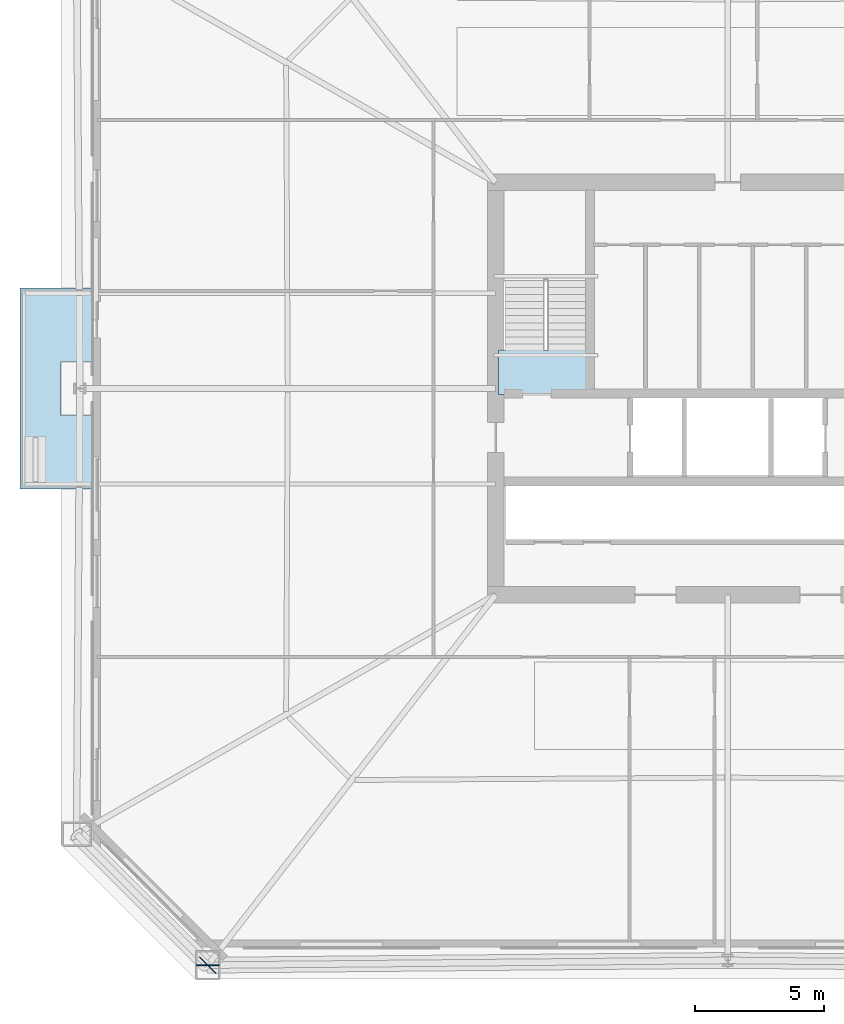
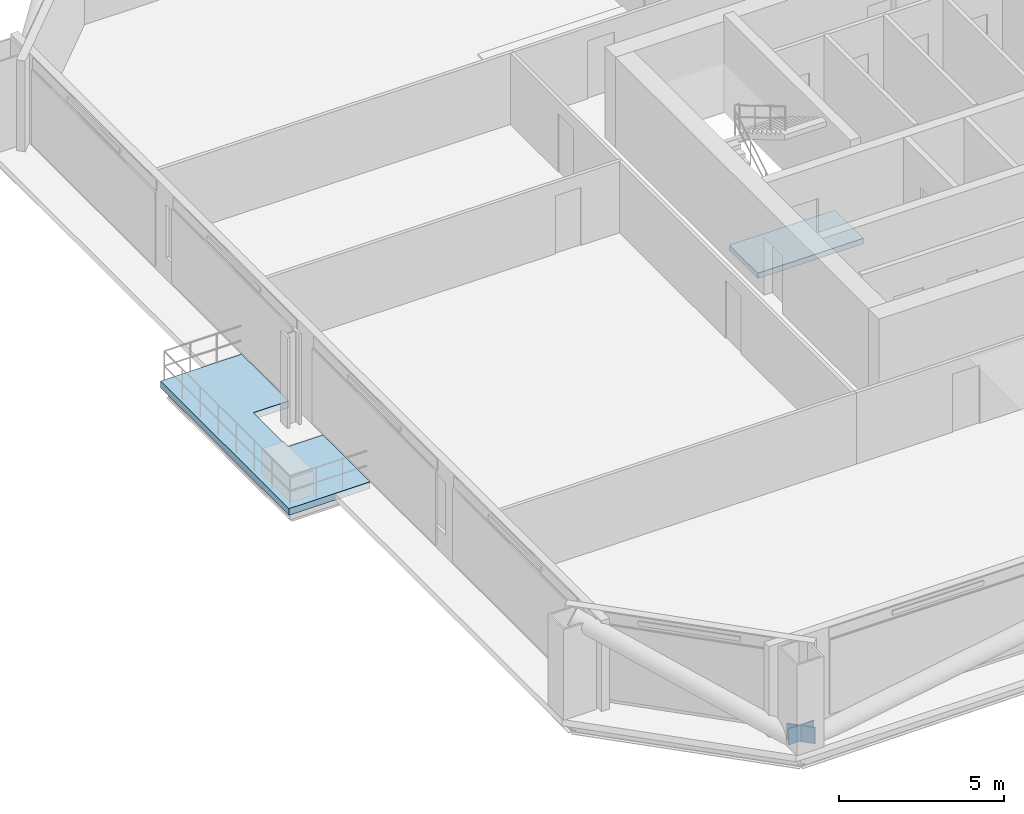
# One storey, part 2 of 10: 2 plates, 2 slabs, 1 element without a shape of its own.
"""IFC4 building model written with IfcOpenShell, lengths in metres."""

from ifc_helpers import new_model, si_unit, direction, frame, origin, origin_2d, place, context, subcontext, project, spatial, polyline, rectangle, outline, extrude, material, layer, layer_set, type_object, element, aggregate, save


model = new_model("IFC4")

# Units and contexts
model_context = context("Model", 3, precision=1e-05, world=origin(), true_north=direction((0.0, 1.0)))
body_context = subcontext(model_context, "Body", "Model", "MODEL_VIEW")
ifc_project = project(units=[si_unit("LENGTHUNIT", "METRE"), si_unit("AREAUNIT", "SQUARE_METRE"), si_unit("VOLUMEUNIT", "CUBIC_METRE"), si_unit("PLANEANGLEUNIT", "RADIAN"), si_unit("MASSUNIT", "GRAM", prefix="KILO")], contexts=[model_context])

# Site, building, storey
site_placement = place(None, origin())
site = spatial("IfcSite", under=ifc_project, at=site_placement, CompositionType="ELEMENT")
building_placement = place(site_placement, origin())
building = spatial("IfcBuilding", under=site, at=building_placement, Name="Caelvoria Tower", CompositionType="ELEMENT")
storey_placement = place(building_placement, frame((0.0, 0.0, 60.39990234375)))
storey = spatial("IfcBuildingStorey", under=building, at=storey_placement, Name="L15", CompositionType="ELEMENT", Elevation=60.39990234375)

# Plates
ifc_material_1 = material(Name="Structural Steel ASTM A572 Gr.50", Category="steel")
ifc_layer_1 = layer(ifc_material_1, 0.0400390625, Name="Structural Steel ASTM A572 Gr.50")
ifc_layer_set_1 = layer_set([ifc_layer_1], Name="Megaframe Node Gusset Plate 900x600x40 - Structural Steel ASTM A572 Gr.50")
plate_type = type_object("IfcPlateType", Name="Megaframe Node Gusset Plate 900x600x40", PredefinedType="USERDEFINED", material=ifc_layer_set_1)
for number, where, z_axis, x_axis, name in (
    (1, (25.832275390625, 9.634765625, 0.02001953125), (0.0, 0.0, 1.0), (-0.70821909349, 0.705992716404, 0.0), "Chamfer Mega Brace Gusset L15 SW"),
    (2, (25.832275390625, 9.634765625, 0.050048828125), (0.0, 0.0, 1.0), (0.999957796016, 0.009187283934, 0.0), "Megaframe Node Gusset Plate ND-04"),
):
    element("IfcPlate", number, at=place(storey_placement, frame(where, z_axis=z_axis, x_axis=x_axis)), inside=storey, type_object=plate_type, Name=name, ObjectType="GUSSET_PLATE", PredefinedType="USERDEFINED", context=body_context, shape_type="SweptSolid", body=[
        extrude(rectangle(XDim=0.89990234375, YDim=0.0400390625, at=origin_2d()), origin(), (0.0, 0.0, 1.0), 0.60009765625),
    ])

# Stair, slab
ifc_material_2 = material(Name="Concrete C40/50", Category="concrete")
stair_type = type_object("IfcStairType", Name="Core Smokeproof Dogleg Stair Concrete C40/50", PredefinedType="HALF_TURN_STAIR", material=ifc_material_2)
stair_placement = place(storey_placement, origin())
stair = element("IfcStair", 3, at=stair_placement, inside=storey, type_object=stair_type, Name="ST-01 Smokeproof Exit Stair L15", PredefinedType="HALF_TURN_STAIR")
ifc_layer_2 = layer(ifc_material_2, 0.199951171875, Name="Concrete C40/50")
ifc_layer_set_2 = layer_set([ifc_layer_2], Name="Stair Half and Floor Landing Slab 200 Concrete C40/50 - Concrete C40/50")
slab_type_1 = type_object("IfcSlabType", Name="Stair Half and Floor Landing Slab 200 Concrete C40/50", PredefinedType="LANDING", material=ifc_layer_set_2)
slab_1_placement = place(storey_placement, frame((0.0, 0.0, -0.199951171875)))
slab_1 = element("IfcSlab", 4, at=slab_1_placement, type_object=slab_type_1, Name="ST-01 landing 1", PredefinedType="LANDING", context=body_context, shape_type="SweptSolid", body=[
    extrude(outline(polyline([(37.10009765625, 31.77001953125), (40.800048828125, 31.77001953125), (40.800048828125, 33.5), (37.10009765625, 33.5), (37.10009765625, 31.77001953125)])), origin(), (0.0, 0.0, 1.0), 0.199951171875),
])
aggregate(stair, [slab_1])

# Slab
ifc_material_3 = material(Name="Concrete C45/55", Category="concrete")
ifc_layer_3 = layer(ifc_material_3, 0.25, Name="Concrete C45/55")
ifc_layer_set_3 = layer_set([ifc_layer_3], Name="Tree Balcony Structural Planter Slab 250 - Concrete C45/55")
slab_type_2 = type_object("IfcSlabType", Name="Tree Balcony Structural Planter Slab 250", PredefinedType="FLOOR", material=ifc_layer_set_3)
slab_2_placement = place(storey_placement, frame((0.0, 0.0, -0.25)))
element("IfcSlab", 5, at=slab_2_placement, inside=storey, type_object=slab_type_2, Name="Tree Balcony Slab TB-L15-W", PredefinedType="FLOOR", context=body_context, shape_type="SweptSolid", body=[
    extrude(outline(polyline([(18.550048828125, 28.10009765625), (20.14990234375, 28.10009765625), (21.389892578125, 28.10009765625), (21.389892578125, 30.9599609375), (20.14990234375, 30.9599609375), (20.14990234375, 33.0400390625), (21.389892578125, 33.0400390625), (21.389892578125, 35.89990234375), (20.14990234375, 35.89990234375), (18.550048828125, 35.89990234375), (18.550048828125, 28.10009765625)])), origin(), (0.0, 0.0, 1.0), 0.25),
])

save(model, "model.ifc")
